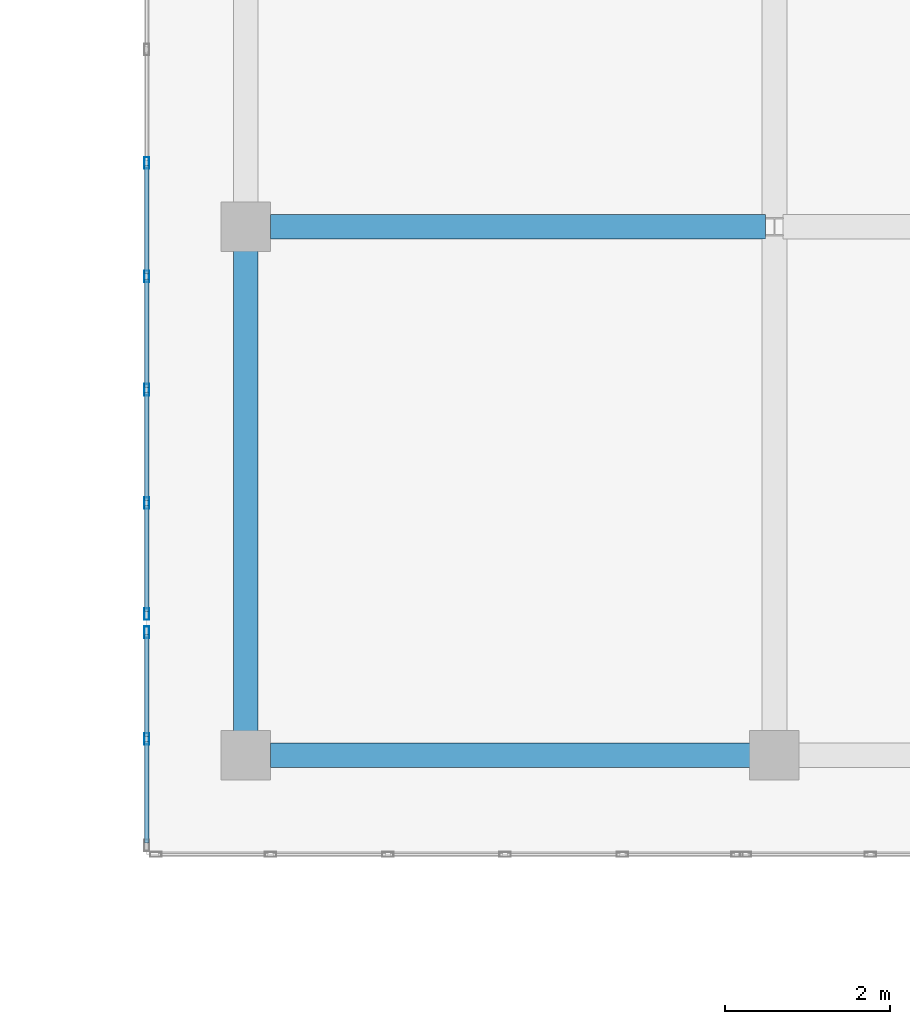
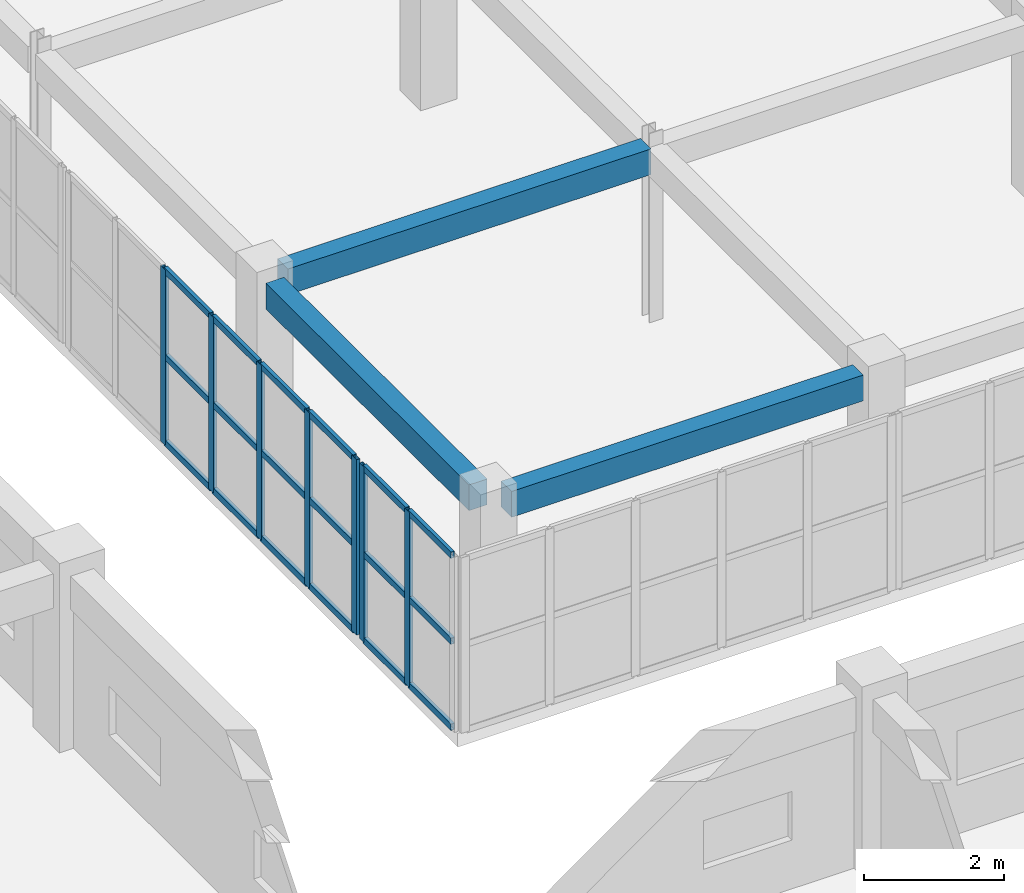
# One storey, part 35 of 200: 25 members, 3 beams, 2 elements without a shape of their own.
"""IFC4 building model written with IfcOpenShell, lengths in metres."""

from ifc_helpers import new_model, si_unit, direction, frame, origin, origin_2d, place, context, subcontext, project, spatial, rectangle, hollow_rectangle, extrude, material, layer, layer_set, material_profile, profile_set, type_object, element, aggregate, save


model = new_model("IFC4")

# Units and contexts
model_context = context("Model", 3, precision=1e-05, world=origin(), true_north=direction((0.0, 1.0)))
body_context = subcontext(model_context, "Body", "Model", "MODEL_VIEW")
ifc_project = project(units=[si_unit("LENGTHUNIT", "METRE"), si_unit("AREAUNIT", "SQUARE_METRE"), si_unit("VOLUMEUNIT", "CUBIC_METRE"), si_unit("PLANEANGLEUNIT", "RADIAN"), si_unit("MASSUNIT", "GRAM", prefix="KILO")], contexts=[model_context])

# Site, building, storey
site_placement = place(None, origin())
site = spatial("IfcSite", under=ifc_project, at=site_placement, CompositionType="ELEMENT")
building_placement = place(site_placement, origin())
building = spatial("IfcBuilding", under=site, at=building_placement, Name="Trelvath General Hospital", CompositionType="ELEMENT")
storey_placement = place(building_placement, frame((0.0, 0.0, 4.800048828125)))
storey = spatial("IfcBuildingStorey", under=building, at=storey_placement, Name="L01", CompositionType="ELEMENT", Elevation=4.800048828125)

# Beams
ifc_material_1 = material(Name="Concrete C35/45", Category="concrete")
ifc_material_profile_1 = material_profile(ifc_material_1, rectangle(XDim=0.300048828125, YDim=0.449951171875, at=origin_2d()), Name="RCB300x450")
ifc_profile_set_1 = profile_set([ifc_material_profile_1], Name="Concrete C35/45")
beam_type = type_object("IfcBeamType", Name="Beam RC300x450", PredefinedType="BEAM", material=ifc_profile_set_1)
beam_1_placement = place(storey_placement, frame((48.2958984375, 32.0, 2.8349609375), z_axis=(1.0, 0.0, 0.0), x_axis=(0.0, 1.0, 0.0)))
element("IfcBeam", 1, at=beam_1_placement, inside=storey, type_object=beam_type, Name="Cube Interior Ring Beam CUBE-W-T0 L01", PredefinedType="BEAM", context=body_context, shape_type="SweptSolid", body=[
    extrude(rectangle(XDim=0.300048828125, YDim=0.449951171875, at=origin_2d()), origin(), (0.0, 0.0, 1.0), 5.80810546875),
])
beam_2_placement = place(storey_placement, frame((48.2958984375, 38.39990234375, 2.8349609375), z_axis=(1.0, 0.0, 0.0), x_axis=(0.0, 1.0, 0.0)))
element("IfcBeam", 2, at=beam_2_placement, inside=storey, type_object=beam_type, Name="Cube Interior Ring Beam CUBE-W-T0 L01", PredefinedType="BEAM", context=body_context, shape_type="SweptSolid", body=[
    extrude(rectangle(XDim=0.300048828125, YDim=0.449951171875, at=origin_2d()), origin(), (0.0, 0.0, 1.0), 5.998046875),
])
beam_3_placement = place(storey_placement, frame((48.0, 32.2958984375, 2.8349609375), z_axis=(0.0, 1.0, 0.0), x_axis=(-1.0, 0.0, 0.0)))
element("IfcBeam", 3, at=beam_3_placement, inside=storey, type_object=beam_type, Name="Cube Interior Ring Beam CUBE-W-T0 L01", PredefinedType="BEAM", context=body_context, shape_type="SweptSolid", body=[
    extrude(rectangle(XDim=0.300048828125, YDim=0.449951171875, at=origin_2d()), origin(), (0.0, 0.0, 1.0), 5.80810546875),
])

# Curtain wall, members
ifc_material_2 = material(Name="Anodised aluminium and low-E glass", Category="aluminium")
ifc_layer_1 = layer(ifc_material_2, 0.14990234375)
ifc_layer_set_1 = layer_set([ifc_layer_1], Name="Anodised aluminium and low-E glass")
curtain_wall_type_1 = type_object("IfcCurtainWallType", Name="CW CrystalCube 264 306 15", PredefinedType="USERDEFINED", material=ifc_layer_set_1)
curtain_wall_1_placement = place(storey_placement, origin())
curtain_wall_1 = element("IfcCurtainWall", 4, at=curtain_wall_1_placement, inside=storey, type_object=curtain_wall_type_1, Name="Crystal Cube Curtain Wall CUBE-W-T0 W1 L01", ObjectType="Unitised Glazed Curtain Wall", PredefinedType="USERDEFINED")
ifc_material_3 = material(Name="Anodised aluminium", Category="aluminium")
ifc_material_profile_2 = material_profile(ifc_material_3, hollow_rectangle(XDim=0.06005859375, YDim=0.139892578125, WallThickness=0.00390625, at=origin_2d()), Name="RHS60x140x4")
ifc_profile_set_2 = profile_set([ifc_material_profile_2], Name="Anodised aluminium")
member_type_1 = type_object("IfcMemberType", Name="CurtainMullion 60x140", PredefinedType="MULLION", material=ifc_profile_set_2)
member_1_placement = place(storey_placement, frame((46.800048828125, 32.199951171875, 0.0), z_axis=(0.0, 0.0, 1.0), x_axis=(-1.0, 0.0, 0.0)))
member_1 = element("IfcMember", 5, at=member_1_placement, type_object=member_type_1, Name="CW-138 mullion 2", PredefinedType="MULLION", context=body_context, shape_type="SweptSolid", body=[
    extrude(hollow_rectangle(XDim=0.06005859375, YDim=0.139892578125, WallThickness=0.00390625, at=origin_2d()), origin(), (0.0, 0.0, 1.0), 3.06005859375),
])
member_2_placement = place(storey_placement, frame((46.800048828125, 33.489990234375, 0.0), z_axis=(0.0, 0.0, 1.0), x_axis=(-1.0, 0.0, 0.0)))
member_2 = element("IfcMember", 6, at=member_2_placement, type_object=member_type_1, Name="CW-138 mullion 3", PredefinedType="MULLION", context=body_context, shape_type="SweptSolid", body=[
    extrude(hollow_rectangle(XDim=0.06005859375, YDim=0.139892578125, WallThickness=0.00390625, at=origin_2d()), origin(), (0.0, 0.0, 1.0), 3.06005859375),
])

ifc_material_4 = material(Name="Anodised aluminium and low-E glass", Category="aluminium")
ifc_layer_2 = layer(ifc_material_4, 0.14990234375)
ifc_layer_set_2 = layer_set([ifc_layer_2], Name="Anodised aluminium and low-E glass")
curtain_wall_type_2 = type_object("IfcCurtainWallType", Name="CW CrystalCube 824 306 15", PredefinedType="USERDEFINED", material=ifc_layer_set_2)
curtain_wall_2_placement = place(storey_placement, origin())
curtain_wall_2 = element("IfcCurtainWall", 7, at=curtain_wall_2_placement, inside=storey, type_object=curtain_wall_type_2, Name="Crystal Cube Curtain Wall CUBE-W-T0 W2 L01", ObjectType="Unitised Glazed Curtain Wall", PredefinedType="USERDEFINED")
member_3_placement = place(storey_placement, frame((46.800048828125, 33.7099609375, 0.0), z_axis=(0.0, 0.0, 1.0), x_axis=(-1.0, 0.0, 0.0)))
member_3 = element("IfcMember", 8, at=member_3_placement, type_object=member_type_1, Name="CW-140 mullion 1", PredefinedType="MULLION", context=body_context, shape_type="SweptSolid", body=[
    extrude(hollow_rectangle(XDim=0.06005859375, YDim=0.139892578125, WallThickness=0.00390625, at=origin_2d()), origin(), (0.0, 0.0, 1.0), 3.06005859375),
])
member_4_placement = place(storey_placement, frame((46.800048828125, 35.05322265625, 0.0), z_axis=(0.0, 0.0, 1.0), x_axis=(-1.0, 0.0, 0.0)))
member_4 = element("IfcMember", 9, at=member_4_placement, type_object=member_type_1, Name="CW-140 mullion 2", PredefinedType="MULLION", context=body_context, shape_type="SweptSolid", body=[
    extrude(hollow_rectangle(XDim=0.06005859375, YDim=0.139892578125, WallThickness=0.00390625, at=origin_2d()), origin(), (0.0, 0.0, 1.0), 3.06005859375),
])
member_5_placement = place(storey_placement, frame((46.800048828125, 36.4267578125, 0.0), z_axis=(0.0, 0.0, 1.0), x_axis=(-1.0, 0.0, 0.0)))
member_5 = element("IfcMember", 10, at=member_5_placement, type_object=member_type_1, Name="CW-140 mullion 3", PredefinedType="MULLION", context=body_context, shape_type="SweptSolid", body=[
    extrude(hollow_rectangle(XDim=0.06005859375, YDim=0.139892578125, WallThickness=0.00390625, at=origin_2d()), origin(), (0.0, 0.0, 1.0), 3.06005859375),
])
member_6_placement = place(storey_placement, frame((46.800048828125, 37.800048828125, 0.0), z_axis=(0.0, 0.0, 1.0), x_axis=(-1.0, 0.0, 0.0)))
member_6 = element("IfcMember", 11, at=member_6_placement, type_object=member_type_1, Name="CW-140 mullion 4", PredefinedType="MULLION", context=body_context, shape_type="SweptSolid", body=[
    extrude(hollow_rectangle(XDim=0.06005859375, YDim=0.139892578125, WallThickness=0.00390625, at=origin_2d()), origin(), (0.0, 0.0, 1.0), 3.06005859375),
])
member_7_placement = place(storey_placement, frame((46.800048828125, 39.17333984375, 0.0), z_axis=(0.0, 0.0, 1.0), x_axis=(-1.0, 0.0, 0.0)))
member_7 = element("IfcMember", 12, at=member_7_placement, type_object=member_type_1, Name="CW-140 mullion 5", PredefinedType="MULLION", context=body_context, shape_type="SweptSolid", body=[
    extrude(hollow_rectangle(XDim=0.06005859375, YDim=0.139892578125, WallThickness=0.00390625, at=origin_2d()), origin(), (0.0, 0.0, 1.0), 3.06005859375),
])

# Member
ifc_material_5 = material(Name="Anodised aluminium", Category="aluminium")
ifc_material_profile_3 = material_profile(ifc_material_5, hollow_rectangle(XDim=0.06005859375, YDim=0.110107421875, WallThickness=0.00390625, at=origin_2d()), Name="RHS60x110x4")
ifc_profile_set_3 = profile_set([ifc_material_profile_3], Name="Anodised aluminium")
member_type_2 = type_object("IfcMemberType", Name="CurtainTransom 60x110", PredefinedType="USERDEFINED", material=ifc_profile_set_3)
member_8_placement = place(storey_placement, frame((46.800048828125, 30.93994140625, 0.030029296875), z_axis=(0.0, 1.0, 0.0), x_axis=(-1.0, 0.0, 0.0)))
member_8 = element("IfcMember", 13, at=member_8_placement, type_object=member_type_2, Name="CW-138 transom 1.1", ObjectType="TRANSOM", PredefinedType="USERDEFINED", context=body_context, shape_type="SweptSolid", body=[
    extrude(hollow_rectangle(XDim=0.06005859375, YDim=0.110107421875, WallThickness=0.00390625, at=origin_2d()), origin(), (0.0, 0.0, 1.0), 1.22998046875),
])

member_9_placement = place(storey_placement, frame((46.800048828125, 30.93994140625, 1.530029296875), z_axis=(0.0, 1.0, 0.0), x_axis=(-1.0, 0.0, 0.0)))
member_9 = element("IfcMember", 14, at=member_9_placement, type_object=member_type_2, Name="CW-138 transom 1.2", ObjectType="TRANSOM", PredefinedType="USERDEFINED", context=body_context, shape_type="SweptSolid", body=[
    extrude(hollow_rectangle(XDim=0.06005859375, YDim=0.110107421875, WallThickness=0.00390625, at=origin_2d()), origin(), (0.0, 0.0, 1.0), 1.22998046875),
])

member_10_placement = place(storey_placement, frame((46.800048828125, 30.93994140625, 3.030029296875), z_axis=(0.0, 1.0, 0.0), x_axis=(-1.0, 0.0, 0.0)))
member_10 = element("IfcMember", 15, at=member_10_placement, type_object=member_type_2, Name="CW-138 transom 1.3", ObjectType="TRANSOM", PredefinedType="USERDEFINED", context=body_context, shape_type="SweptSolid", body=[
    extrude(hollow_rectangle(XDim=0.06005859375, YDim=0.110107421875, WallThickness=0.00390625, at=origin_2d()), origin(), (0.0, 0.0, 1.0), 1.22998046875),
])

member_11_placement = place(storey_placement, frame((46.800048828125, 32.22998046875, 0.030029296875), z_axis=(0.0, 1.0, 0.0), x_axis=(-1.0, 0.0, 0.0)))
member_11 = element("IfcMember", 16, at=member_11_placement, type_object=member_type_2, Name="CW-138 transom 2.1", ObjectType="TRANSOM", PredefinedType="USERDEFINED", context=body_context, shape_type="SweptSolid", body=[
    extrude(hollow_rectangle(XDim=0.06005859375, YDim=0.110107421875, WallThickness=0.00390625, at=origin_2d()), origin(), (0.0, 0.0, 1.0), 1.22998046875),
])

member_12_placement = place(storey_placement, frame((46.800048828125, 32.22998046875, 1.530029296875), z_axis=(0.0, 1.0, 0.0), x_axis=(-1.0, 0.0, 0.0)))
member_12 = element("IfcMember", 17, at=member_12_placement, type_object=member_type_2, Name="CW-138 transom 2.2", ObjectType="TRANSOM", PredefinedType="USERDEFINED", context=body_context, shape_type="SweptSolid", body=[
    extrude(hollow_rectangle(XDim=0.06005859375, YDim=0.110107421875, WallThickness=0.00390625, at=origin_2d()), origin(), (0.0, 0.0, 1.0), 1.22998046875),
])

member_13_placement = place(storey_placement, frame((46.800048828125, 32.22998046875, 3.030029296875), z_axis=(0.0, 1.0, 0.0), x_axis=(-1.0, 0.0, 0.0)))
member_13 = element("IfcMember", 18, at=member_13_placement, type_object=member_type_2, Name="CW-138 transom 2.3", ObjectType="TRANSOM", PredefinedType="USERDEFINED", context=body_context, shape_type="SweptSolid", body=[
    extrude(hollow_rectangle(XDim=0.06005859375, YDim=0.110107421875, WallThickness=0.00390625, at=origin_2d()), origin(), (0.0, 0.0, 1.0), 1.22998046875),
])

aggregate(curtain_wall_1, [member_1, member_2, member_8, member_9, member_10, member_11, member_12, member_13])

member_14_placement = place(storey_placement, frame((46.800048828125, 33.739990234375, 0.030029296875), z_axis=(0.0, 1.0, 0.0), x_axis=(-1.0, 0.0, 0.0)))
member_14 = element("IfcMember", 19, at=member_14_placement, type_object=member_type_2, Name="CW-140 transom 1.1", ObjectType="TRANSOM", PredefinedType="USERDEFINED", context=body_context, shape_type="SweptSolid", body=[
    extrude(hollow_rectangle(XDim=0.06005859375, YDim=0.110107421875, WallThickness=0.00390625, at=origin_2d()), origin(), (0.0, 0.0, 1.0), 1.283447265625),
])

member_15_placement = place(storey_placement, frame((46.800048828125, 33.739990234375, 1.530029296875), z_axis=(0.0, 1.0, 0.0), x_axis=(-1.0, 0.0, 0.0)))
member_15 = element("IfcMember", 20, at=member_15_placement, type_object=member_type_2, Name="CW-140 transom 1.2", ObjectType="TRANSOM", PredefinedType="USERDEFINED", context=body_context, shape_type="SweptSolid", body=[
    extrude(hollow_rectangle(XDim=0.06005859375, YDim=0.110107421875, WallThickness=0.00390625, at=origin_2d()), origin(), (0.0, 0.0, 1.0), 1.283447265625),
])

member_16_placement = place(storey_placement, frame((46.800048828125, 33.739990234375, 3.030029296875), z_axis=(0.0, 1.0, 0.0), x_axis=(-1.0, 0.0, 0.0)))
member_16 = element("IfcMember", 21, at=member_16_placement, type_object=member_type_2, Name="CW-140 transom 1.3", ObjectType="TRANSOM", PredefinedType="USERDEFINED", context=body_context, shape_type="SweptSolid", body=[
    extrude(hollow_rectangle(XDim=0.06005859375, YDim=0.110107421875, WallThickness=0.00390625, at=origin_2d()), origin(), (0.0, 0.0, 1.0), 1.283447265625),
])

member_17_placement = place(storey_placement, frame((46.800048828125, 35.083251953125, 0.030029296875), z_axis=(0.0, 1.0, 0.0), x_axis=(-1.0, 0.0, 0.0)))
member_17 = element("IfcMember", 22, at=member_17_placement, type_object=member_type_2, Name="CW-140 transom 2.1", ObjectType="TRANSOM", PredefinedType="USERDEFINED", context=body_context, shape_type="SweptSolid", body=[
    extrude(hollow_rectangle(XDim=0.06005859375, YDim=0.110107421875, WallThickness=0.00390625, at=origin_2d()), origin(), (0.0, 0.0, 1.0), 1.3134765625),
])

member_18_placement = place(storey_placement, frame((46.800048828125, 35.083251953125, 1.530029296875), z_axis=(0.0, 1.0, 0.0), x_axis=(-1.0, 0.0, 0.0)))
member_18 = element("IfcMember", 23, at=member_18_placement, type_object=member_type_2, Name="CW-140 transom 2.2", ObjectType="TRANSOM", PredefinedType="USERDEFINED", context=body_context, shape_type="SweptSolid", body=[
    extrude(hollow_rectangle(XDim=0.06005859375, YDim=0.110107421875, WallThickness=0.00390625, at=origin_2d()), origin(), (0.0, 0.0, 1.0), 1.3134765625),
])

member_19_placement = place(storey_placement, frame((46.800048828125, 35.083251953125, 3.030029296875), z_axis=(0.0, 1.0, 0.0), x_axis=(-1.0, 0.0, 0.0)))
member_19 = element("IfcMember", 24, at=member_19_placement, type_object=member_type_2, Name="CW-140 transom 2.3", ObjectType="TRANSOM", PredefinedType="USERDEFINED", context=body_context, shape_type="SweptSolid", body=[
    extrude(hollow_rectangle(XDim=0.06005859375, YDim=0.110107421875, WallThickness=0.00390625, at=origin_2d()), origin(), (0.0, 0.0, 1.0), 1.3134765625),
])

member_20_placement = place(storey_placement, frame((46.800048828125, 36.456787109375, 0.030029296875), z_axis=(0.0, 1.0, 0.0), x_axis=(-1.0, 0.0, 0.0)))
member_20 = element("IfcMember", 25, at=member_20_placement, type_object=member_type_2, Name="CW-140 transom 3.1", ObjectType="TRANSOM", PredefinedType="USERDEFINED", context=body_context, shape_type="SweptSolid", body=[
    extrude(hollow_rectangle(XDim=0.06005859375, YDim=0.110107421875, WallThickness=0.00390625, at=origin_2d()), origin(), (0.0, 0.0, 1.0), 1.313232421875),
])

member_21_placement = place(storey_placement, frame((46.800048828125, 36.456787109375, 1.530029296875), z_axis=(0.0, 1.0, 0.0), x_axis=(-1.0, 0.0, 0.0)))
member_21 = element("IfcMember", 26, at=member_21_placement, type_object=member_type_2, Name="CW-140 transom 3.2", ObjectType="TRANSOM", PredefinedType="USERDEFINED", context=body_context, shape_type="SweptSolid", body=[
    extrude(hollow_rectangle(XDim=0.06005859375, YDim=0.110107421875, WallThickness=0.00390625, at=origin_2d()), origin(), (0.0, 0.0, 1.0), 1.313232421875),
])

member_22_placement = place(storey_placement, frame((46.800048828125, 36.456787109375, 3.030029296875), z_axis=(0.0, 1.0, 0.0), x_axis=(-1.0, 0.0, 0.0)))
member_22 = element("IfcMember", 27, at=member_22_placement, type_object=member_type_2, Name="CW-140 transom 3.3", ObjectType="TRANSOM", PredefinedType="USERDEFINED", context=body_context, shape_type="SweptSolid", body=[
    extrude(hollow_rectangle(XDim=0.06005859375, YDim=0.110107421875, WallThickness=0.00390625, at=origin_2d()), origin(), (0.0, 0.0, 1.0), 1.313232421875),
])

member_23_placement = place(storey_placement, frame((46.800048828125, 37.830078125, 0.030029296875), z_axis=(0.0, 1.0, 0.0), x_axis=(-1.0, 0.0, 0.0)))
member_23 = element("IfcMember", 28, at=member_23_placement, type_object=member_type_2, Name="CW-140 transom 4.1", ObjectType="TRANSOM", PredefinedType="USERDEFINED", context=body_context, shape_type="SweptSolid", body=[
    extrude(hollow_rectangle(XDim=0.06005859375, YDim=0.110107421875, WallThickness=0.00390625, at=origin_2d()), origin(), (0.0, 0.0, 1.0), 1.313232421875),
])

member_24_placement = place(storey_placement, frame((46.800048828125, 37.830078125, 1.530029296875), z_axis=(0.0, 1.0, 0.0), x_axis=(-1.0, 0.0, 0.0)))
member_24 = element("IfcMember", 29, at=member_24_placement, type_object=member_type_2, Name="CW-140 transom 4.2", ObjectType="TRANSOM", PredefinedType="USERDEFINED", context=body_context, shape_type="SweptSolid", body=[
    extrude(hollow_rectangle(XDim=0.06005859375, YDim=0.110107421875, WallThickness=0.00390625, at=origin_2d()), origin(), (0.0, 0.0, 1.0), 1.313232421875),
])

member_25_placement = place(storey_placement, frame((46.800048828125, 37.830078125, 3.030029296875), z_axis=(0.0, 1.0, 0.0), x_axis=(-1.0, 0.0, 0.0)))
member_25 = element("IfcMember", 30, at=member_25_placement, type_object=member_type_2, Name="CW-140 transom 4.3", ObjectType="TRANSOM", PredefinedType="USERDEFINED", context=body_context, shape_type="SweptSolid", body=[
    extrude(hollow_rectangle(XDim=0.06005859375, YDim=0.110107421875, WallThickness=0.00390625, at=origin_2d()), origin(), (0.0, 0.0, 1.0), 1.313232421875),
])

aggregate(curtain_wall_2, [member_3, member_4, member_5, member_6, member_7, member_14, member_15, member_16, member_17, member_18, member_19, member_20, member_21, member_22, member_23, member_24, member_25])

save(model, "model.ifc")
